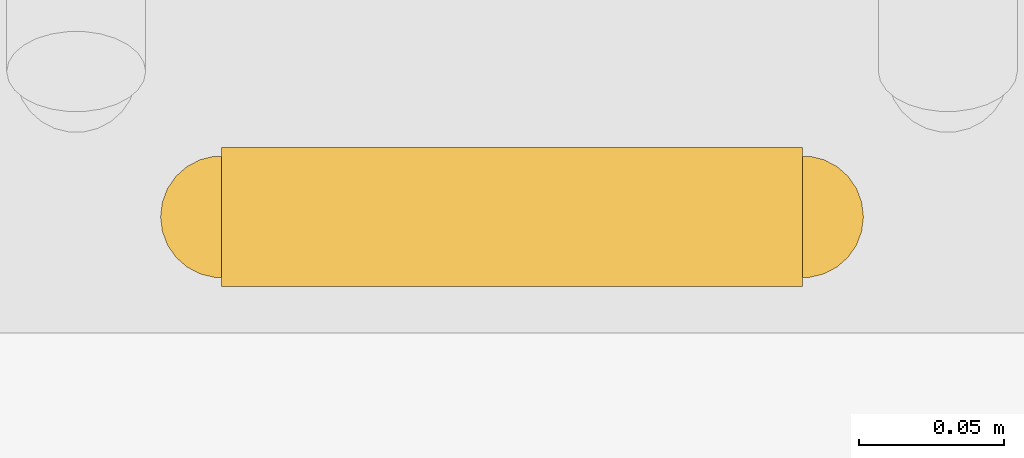
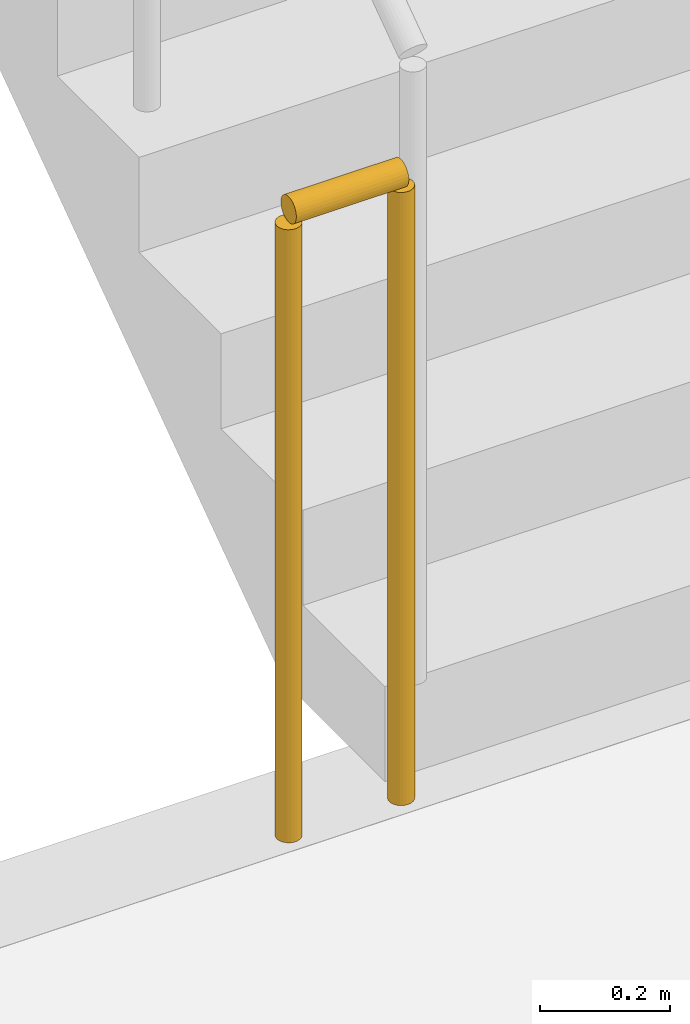
# One storey, part 13 of 18: 1 railing.
"""IFC4 building model written with IfcOpenShell, lengths in metres."""

from ifc_helpers import new_model, si_unit, direction, frame, origin, origin_2d, place, context, subcontext, project, spatial, circle, extrude, material, layer, layer_set, type_object, element, save


model = new_model("IFC4")

# Units and contexts
model_context = context("Model", 3, precision=1e-05, world=origin(), true_north=direction((0.0, 1.0)))
body_context = subcontext(model_context, "Body", "Model", "MODEL_VIEW")
ifc_project = project(units=[si_unit("LENGTHUNIT", "METRE"), si_unit("AREAUNIT", "SQUARE_METRE"), si_unit("VOLUMEUNIT", "CUBIC_METRE"), si_unit("PLANEANGLEUNIT", "RADIAN"), si_unit("MASSUNIT", "GRAM", prefix="KILO")], contexts=[model_context])

# Site, building, storey
site_placement = place(None, origin())
site = spatial("IfcSite", under=ifc_project, at=site_placement, CompositionType="ELEMENT")
building_placement = place(site_placement, origin())
building = spatial("IfcBuilding", under=site, at=building_placement, Name="Noeulbin Bourse Tower", CompositionType="ELEMENT")
storey_placement = place(building_placement, frame((0.0, 0.0, -5.0)))
storey = spatial("IfcBuildingStorey", under=building, at=storey_placement, Name="B01", CompositionType="ELEMENT", Elevation=-5.0)

# Railing
ifc_material = material(Name="Painted Tubular Steel S355", Category="steel")
ifc_layer = layer(ifc_material, 0.048095703125)
ifc_layer_set = layer_set([ifc_layer], Name="Painted Tubular Steel S355")
railing_type = type_object("IfcRailingType", Name="RLG-STR-GRD", PredefinedType="GUARDRAIL", material=ifc_layer_set)
railing_placement = place(storey_placement, frame((16.199951171875, 31.760009765625, 0.0)))
element("IfcRailing", 1, at=railing_placement, inside=storey, type_object=railing_type, Name="B01 ST-1 stair guard 4", PredefinedType="GUARDRAIL", context=body_context, shape_type="SweptSolid", body=[
    extrude(circle(Radius=0.02392578125, at=origin_2d()), frame((0.0, 0.0, 1.17578125), z_axis=(-1.0, 0.0, 0.0), x_axis=(0.0, -1.0, 0.0)), (0.0, 0.0, 1.0), 0.199951171875),
    extrude(circle(Radius=0.02099609375, at=origin_2d()), origin(), (0.0, 0.0, 1.0), 1.15185546875),
    extrude(circle(Radius=0.02099609375, at=origin_2d()), frame((-0.199951171875, 0.0, 0.0)), (0.0, 0.0, 1.0), 1.15185546875),
])

save(model, "model.ifc")
